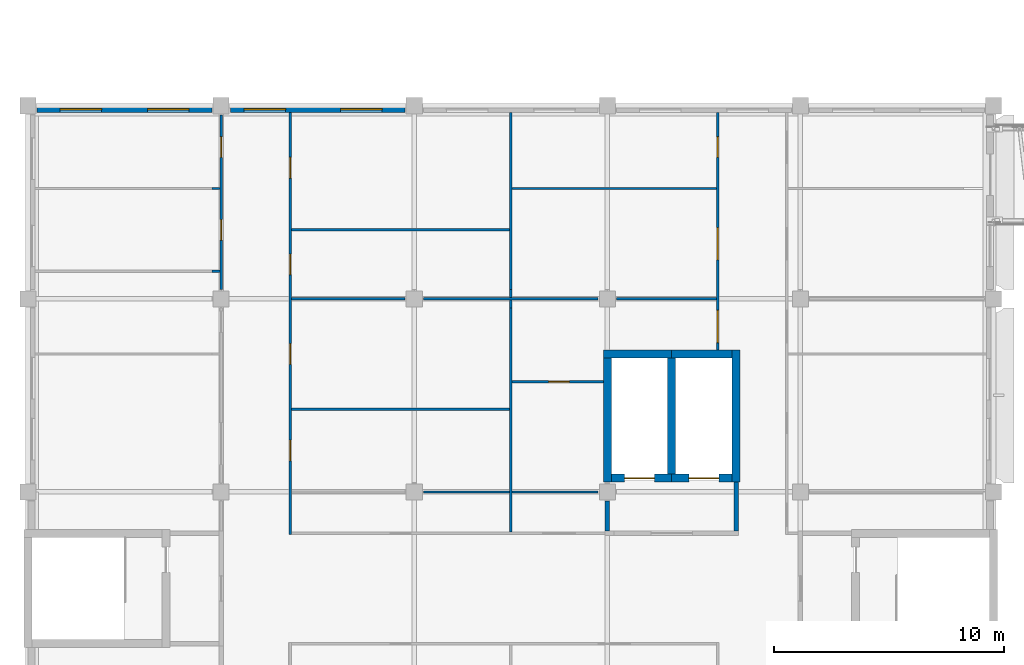
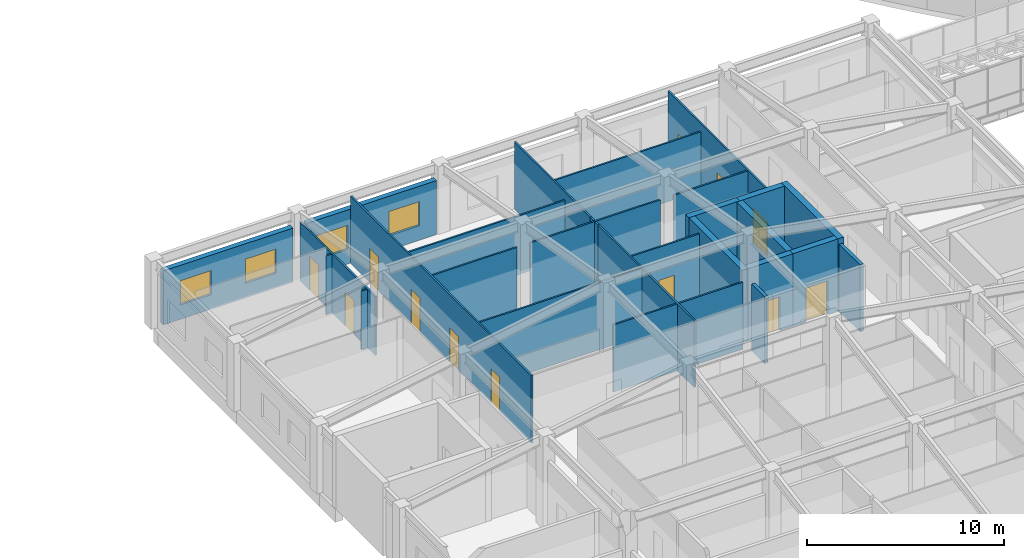
# One storey, part 58 of 136: 29 walls, 12 doors, 4 windows, 16 openings.
"""IFC4 building model written with IfcOpenShell, lengths in metres."""

from ifc_helpers import new_model, si_unit, direction, frame, frame_2d, origin, place, context, subcontext, project, spatial, rectangle, extrude, material, layer, layer_set, type_object, element, fill, save


model = new_model("IFC4")

# Units and contexts
model_context = context("Model", 3, precision=1e-05, world=origin(), true_north=direction((0.0, 1.0)))
body_context = subcontext(model_context, "Body", "Model", "MODEL_VIEW")
ifc_project = project(units=[si_unit("LENGTHUNIT", "METRE"), si_unit("AREAUNIT", "SQUARE_METRE"), si_unit("VOLUMEUNIT", "CUBIC_METRE"), si_unit("PLANEANGLEUNIT", "RADIAN"), si_unit("MASSUNIT", "GRAM", prefix="KILO")], contexts=[model_context])

# Site, building, storey
site_placement = place(None, origin())
site = spatial("IfcSite", under=ifc_project, at=site_placement, CompositionType="ELEMENT")
building_placement = place(site_placement, origin())
building = spatial("IfcBuilding", under=site, at=building_placement, Name="Bougainvillea Quay General Hospital", CompositionType="ELEMENT")
storey_placement = place(building_placement, frame((0.0, 0.0, 5.39990234375)))
storey = spatial("IfcBuildingStorey", under=building, at=storey_placement, Name="L01", CompositionType="ELEMENT", Elevation=5.39990234375)

# Wall, openings, windows
ifc_material_1 = material(Name="Pale stone rainscreen cladding on insulated masonry backing, pale stone", Category="masonry")
ifc_layer_1 = layer(ifc_material_1, 0.300048828125)
ifc_layer_set_1 = layer_set([ifc_layer_1], Name="Pale stone rainscreen cladding on insulated masonry backing, pale stone")
wall_type_1 = type_object("IfcWallType", Name="External wall pale stone rainscreen 300", PredefinedType="STANDARD", material=ifc_layer_set_1)
wall_1_placement = place(storey_placement, frame((24.800048828125, 75.449951171875, 0.0), z_axis=(0.0, 0.0, 1.0), x_axis=(-1.0, 0.0, 0.0)))
wall_1 = element("IfcWall", 1, at=wall_1_placement, inside=storey, type_object=wall_type_1, Name="External wall wall/V2/L01/p0/00d", PredefinedType="STANDARD", context=body_context, shape_type="SweptSolid", body=[
    extrude(rectangle(XDim=7.60009765625, YDim=0.300048828125, at=frame_2d((3.800048828125, 0.0))), origin(), (0.0, 0.0, 1.0), 3.35009765625),
])
opening_1_placement = place(wall_1_placement, frame((1.0, 0.0, 0.89990234375)))
opening_1 = element("IfcOpeningElement", 2, at=opening_1_placement, cuts=wall_1, Name="Opening W1", PredefinedType="OPENING", context=body_context, shape_type="SweptSolid", body=[
    extrude(rectangle(XDim=1.800048828125, YDim=1.5, at=frame_2d((0.89990234375, 0.75))), frame((0.0, 0.159912109375, 0.0), z_axis=(0.0, -1.0, 0.0), x_axis=(1.0, 0.0, 0.0)), (0.0, 0.0, 1.0), 0.320068359375),
])
opening_2_placement = place(wall_1_placement, frame((5.199951171875, 0.0, 0.89990234375)))
opening_2 = element("IfcOpeningElement", 3, at=opening_2_placement, cuts=wall_1, Name="Opening W1", PredefinedType="OPENING", context=body_context, shape_type="SweptSolid", body=[
    extrude(rectangle(XDim=1.800048828125, YDim=1.5, at=frame_2d((0.89990234375, 0.75))), frame((0.0, 0.159912109375, 0.0), z_axis=(0.0, -1.0, 0.0), x_axis=(1.0, 0.0, 0.0)), (0.0, 0.0, 1.0), 0.320068359375),
])
ifc_material_2 = material(Name="Aluminium window frame with low-e double glazed unit", Category="aluminium")
window_type = type_object("IfcWindowType", Name="Window W1 1800x1500", PartitioningType="DOUBLE_PANEL_VERTICAL", PredefinedType="WINDOW", material=ifc_material_2)
window_1_placement = place(opening_1_placement, origin())
window_1 = element("IfcWindow", 4, at=window_1_placement, inside=storey, type_object=window_type, Name="Window W1 1", OverallHeight=1.5, OverallWidth=1.800048828125, PartitioningType="SINGLE_PANEL", PredefinedType="WINDOW", context=body_context, shape_type="SweptSolid", body=[
    extrude(rectangle(XDim=1.800048828125, YDim=1.5, at=frame_2d((0.89990234375, 0.75))), frame((0.0, 0.030029296875, 0.0), z_axis=(0.0, -1.0, 0.0), x_axis=(1.0, 0.0, 0.0)), (0.0, 0.0, 1.0), 0.06005859375),
])
fill(opening_1, window_1)
window_2_placement = place(opening_2_placement, origin())
window_2 = element("IfcWindow", 5, at=window_2_placement, inside=storey, type_object=window_type, Name="Window W1 2", OverallHeight=1.5, OverallWidth=1.800048828125, PartitioningType="SINGLE_PANEL", PredefinedType="WINDOW", context=body_context, shape_type="SweptSolid", body=[
    extrude(rectangle(XDim=1.800048828125, YDim=1.5, at=frame_2d((0.89990234375, 0.75))), frame((0.0, 0.030029296875, 0.0), z_axis=(0.0, -1.0, 0.0), x_axis=(1.0, 0.0, 0.0)), (0.0, 0.0, 1.0), 0.06005859375),
])
fill(opening_2, window_2)

wall_2_placement = place(storey_placement, frame((16.39990234375, 75.449951171875, 0.0), z_axis=(0.0, 0.0, 1.0), x_axis=(-1.0, 0.0, 0.0)))
wall_2 = element("IfcWall", 6, at=wall_2_placement, inside=storey, type_object=wall_type_1, Name="External wall wall/V2/L01/p0/00e", PredefinedType="STANDARD", context=body_context, shape_type="SweptSolid", body=[
    extrude(rectangle(XDim=7.599853515625, YDim=0.300048828125, at=frame_2d((3.7998046875, 0.0))), origin(), (0.0, 0.0, 1.0), 3.35009765625),
])
opening_3_placement = place(wall_2_placement, frame((1.0, 0.0, 0.89990234375)))
opening_3 = element("IfcOpeningElement", 7, at=opening_3_placement, cuts=wall_2, Name="Opening W1", PredefinedType="OPENING", context=body_context, shape_type="SweptSolid", body=[
    extrude(rectangle(XDim=1.800048828125, YDim=1.5, at=frame_2d((0.89990234375, 0.75))), frame((0.0, 0.159912109375, 0.0), z_axis=(0.0, -1.0, 0.0), x_axis=(1.0, 0.0, 0.0)), (0.0, 0.0, 1.0), 0.320068359375),
])
opening_4_placement = place(wall_2_placement, frame((4.800048828125, 0.0, 0.89990234375)))
opening_4 = element("IfcOpeningElement", 8, at=opening_4_placement, cuts=wall_2, Name="Opening W1", PredefinedType="OPENING", context=body_context, shape_type="SweptSolid", body=[
    extrude(rectangle(XDim=1.800048828125, YDim=1.5, at=frame_2d((0.89990234375, 0.75))), frame((0.0, 0.159912109375, 0.0), z_axis=(0.0, -1.0, 0.0), x_axis=(1.0, 0.0, 0.0)), (0.0, 0.0, 1.0), 0.320068359375),
])
window_3_placement = place(opening_3_placement, origin())
window_3 = element("IfcWindow", 9, at=window_3_placement, inside=storey, type_object=window_type, Name="Window W1 1", OverallHeight=1.5, OverallWidth=1.800048828125, PartitioningType="SINGLE_PANEL", PredefinedType="WINDOW", context=body_context, shape_type="SweptSolid", body=[
    extrude(rectangle(XDim=1.800048828125, YDim=1.5, at=frame_2d((0.89990234375, 0.75))), frame((0.0, 0.030029296875, 0.0), z_axis=(0.0, -1.0, 0.0), x_axis=(1.0, 0.0, 0.0)), (0.0, 0.0, 1.0), 0.06005859375),
])
fill(opening_3, window_3)
window_4_placement = place(opening_4_placement, origin())
window_4 = element("IfcWindow", 10, at=window_4_placement, inside=storey, type_object=window_type, Name="Window W1 2", OverallHeight=1.5, OverallWidth=1.800048828125, PartitioningType="SINGLE_PANEL", PredefinedType="WINDOW", context=body_context, shape_type="SweptSolid", body=[
    extrude(rectangle(XDim=1.800048828125, YDim=1.5, at=frame_2d((0.89990234375, 0.75))), frame((0.0, 0.030029296875, 0.0), z_axis=(0.0, -1.0, 0.0), x_axis=(1.0, 0.0, 0.0)), (0.0, 0.0, 1.0), 0.06005859375),
])
fill(opening_4, window_4)

# Wall, openings, doors
ifc_material_3 = material(Name="Gypsum board partition on steel studs", Category="steel")
ifc_layer_2 = layer(ifc_material_3, 0.10009765625)
ifc_layer_set_2 = layer_set([ifc_layer_2], Name="Gypsum board partition on steel studs")
wall_type_2 = type_object("IfcWallType", Name="Partition 100 Gypsum board partition", PredefinedType="PARTITIONING", material=ifc_layer_set_2)
wall_3_placement = place(storey_placement, frame((19.800048828125, 75.300048828125, 0.0), z_axis=(0.0, 0.0, 1.0), x_axis=(0.0, -1.0, 0.0)))
wall_3 = element("IfcWall", 11, at=wall_3_placement, inside=storey, type_object=wall_type_2, Name="Partition 100 mm", PredefinedType="PARTITIONING", context=body_context, shape_type="SweptSolid", body=[
    extrude(rectangle(XDim=18.35009765625, YDim=0.10009765625, at=frame_2d((9.175048828125, 0.0))), origin(), (0.0, 0.0, 1.0), 4.150146484375),
])
opening_5_placement = place(wall_3_placement, frame((14.25, 0.0, 0.0)))
opening_5 = element("IfcOpeningElement", 12, at=opening_5_placement, cuts=wall_3, Name="Opening L01.084", PredefinedType="OPENING", context=body_context, shape_type="SweptSolid", body=[
    extrude(rectangle(XDim=0.89990234375, YDim=2.10009765625, at=frame_2d((0.449951171875, 1.050048828125))), frame((0.0, 0.06005859375, 0.0), z_axis=(0.0, -1.0, 0.0), x_axis=(1.0, 0.0, 0.0)), (0.0, 0.0, 1.0), 0.1201171875),
])
opening_6_placement = place(wall_3_placement, frame((10.050048828125, 0.0, 0.0)))
opening_6 = element("IfcOpeningElement", 13, at=opening_6_placement, cuts=wall_3, Name="Opening L01.085", PredefinedType="OPENING", context=body_context, shape_type="SweptSolid", body=[
    extrude(rectangle(XDim=0.89990234375, YDim=2.10009765625, at=frame_2d((0.449951171875, 1.050048828125))), frame((0.0, 0.06005859375, 0.0), z_axis=(0.0, -1.0, 0.0), x_axis=(1.0, 0.0, 0.0)), (0.0, 0.0, 1.0), 0.1201171875),
])
opening_7_placement = place(wall_3_placement, frame((6.14990234375, 0.0, 0.0)))
opening_7 = element("IfcOpeningElement", 14, at=opening_7_placement, cuts=wall_3, Name="Opening L01.086", PredefinedType="OPENING", context=body_context, shape_type="SweptSolid", body=[
    extrude(rectangle(XDim=0.89990234375, YDim=2.10009765625, at=frame_2d((0.449951171875, 1.050048828125))), frame((0.0, 0.06005859375, 0.0), z_axis=(0.0, -1.0, 0.0), x_axis=(1.0, 0.0, 0.0)), (0.0, 0.0, 1.0), 0.1201171875),
])
opening_8_placement = place(wall_3_placement, frame((1.949951171875, 0.0, 0.0)))
opening_8 = element("IfcOpeningElement", 15, at=opening_8_placement, cuts=wall_3, Name="Opening L01.087", PredefinedType="OPENING", context=body_context, shape_type="SweptSolid", body=[
    extrude(rectangle(XDim=0.89990234375, YDim=2.10009765625, at=frame_2d((0.449951171875, 1.050048828125))), frame((0.0, 0.06005859375, 0.0), z_axis=(0.0, -1.0, 0.0), x_axis=(1.0, 0.0, 0.0)), (0.0, 0.0, 1.0), 0.1201171875),
])
ifc_material_4 = material(Name="Solid-core timber door leaf in steel frame", Category="steel")
door_type_1 = type_object("IfcDoorType", Name="Single leaf door 900x2100", OperationType="NOTDEFINED", PredefinedType="DOOR", material=ifc_material_4)
door_1_placement = place(opening_5_placement, origin())
door_1 = element("IfcDoor", 16, at=door_1_placement, inside=storey, type_object=door_type_1, Name="DT07 L01.084", OperationType="SINGLE_SWING_RIGHT", OverallHeight=2.10009765625, OverallWidth=0.89990234375, PredefinedType="DOOR", context=body_context, shape_type="SweptSolid", body=[
    extrude(rectangle(XDim=0.89990234375, YDim=2.10009765625, at=frame_2d((0.449951171875, 1.050048828125))), frame((0.0, 0.02490234375, 0.0), z_axis=(0.0, -1.0, 0.0), x_axis=(1.0, 0.0, 0.0)), (0.0, 0.0, 1.0), 0.050048828125),
])
fill(opening_5, door_1)
door_2_placement = place(opening_6_placement, origin())
door_2 = element("IfcDoor", 17, at=door_2_placement, inside=storey, type_object=door_type_1, Name="DT07 L01.085", OperationType="SINGLE_SWING_RIGHT", OverallHeight=2.10009765625, OverallWidth=0.89990234375, PredefinedType="DOOR", context=body_context, shape_type="SweptSolid", body=[
    extrude(rectangle(XDim=0.89990234375, YDim=2.10009765625, at=frame_2d((0.449951171875, 1.050048828125))), frame((0.0, 0.02490234375, 0.0), z_axis=(0.0, -1.0, 0.0), x_axis=(1.0, 0.0, 0.0)), (0.0, 0.0, 1.0), 0.050048828125),
])
fill(opening_6, door_2)
door_3_placement = place(opening_7_placement, origin())
door_3 = element("IfcDoor", 18, at=door_3_placement, inside=storey, type_object=door_type_1, Name="DT07 L01.086", OperationType="SINGLE_SWING_LEFT", OverallHeight=2.10009765625, OverallWidth=0.89990234375, PredefinedType="DOOR", context=body_context, shape_type="SweptSolid", body=[
    extrude(rectangle(XDim=0.89990234375, YDim=2.10009765625, at=frame_2d((0.449951171875, 1.050048828125))), frame((0.0, 0.02490234375, 0.0), z_axis=(0.0, -1.0, 0.0), x_axis=(1.0, 0.0, 0.0)), (0.0, 0.0, 1.0), 0.050048828125),
])
fill(opening_7, door_3)
door_4_placement = place(opening_8_placement, origin())
door_4 = element("IfcDoor", 19, at=door_4_placement, inside=storey, type_object=door_type_1, Name="DT07 L01.087", OperationType="SINGLE_SWING_LEFT", OverallHeight=2.10009765625, OverallWidth=0.89990234375, PredefinedType="DOOR", context=body_context, shape_type="SweptSolid", body=[
    extrude(rectangle(XDim=0.89990234375, YDim=2.10009765625, at=frame_2d((0.449951171875, 1.050048828125))), frame((0.0, 0.02490234375, 0.0), z_axis=(0.0, -1.0, 0.0), x_axis=(1.0, 0.0, 0.0)), (0.0, 0.0, 1.0), 0.050048828125),
])
fill(opening_8, door_4)

wall_4_placement = place(storey_placement, frame((38.39990234375, 75.300048828125, 0.0), z_axis=(0.0, 0.0, 1.0), x_axis=(0.0, -1.0, 0.0)))
wall_4 = element("IfcWall", 20, at=wall_4_placement, inside=storey, type_object=wall_type_2, Name="Partition 100 mm", PredefinedType="PARTITIONING", context=body_context, shape_type="SweptSolid", body=[
    extrude(rectangle(XDim=10.324951171875, YDim=0.10009765625, at=frame_2d((5.16259765625, 0.0))), origin(), (0.0, 0.0, 1.0), 4.150146484375),
])
opening_9_placement = place(wall_4_placement, frame((8.60009765625, 0.0, 0.0)))
opening_9 = element("IfcOpeningElement", 21, at=opening_9_placement, cuts=wall_4, Name="Opening L01.089", PredefinedType="OPENING", context=body_context, shape_type="SweptSolid", body=[
    extrude(rectangle(XDim=1.39990234375, YDim=2.10009765625, at=frame_2d((0.699951171875, 1.050048828125))), frame((0.0, 0.06005859375, 0.0), z_axis=(0.0, -1.0, 0.0), x_axis=(1.0, 0.0, 0.0)), (0.0, 0.0, 1.0), 0.1201171875),
])
opening_10_placement = place(wall_4_placement, frame((5.0, 0.0, 0.0)))
opening_10 = element("IfcOpeningElement", 22, at=opening_10_placement, cuts=wall_4, Name="Opening L01.090", PredefinedType="OPENING", context=body_context, shape_type="SweptSolid", body=[
    extrude(rectangle(XDim=1.39990234375, YDim=2.10009765625, at=frame_2d((0.699951171875, 1.050048828125))), frame((0.0, 0.06005859375, 0.0), z_axis=(0.0, -1.0, 0.0), x_axis=(1.0, 0.0, 0.0)), (0.0, 0.0, 1.0), 0.1201171875),
])
opening_11_placement = place(wall_4_placement, frame((1.050048828125, 0.0, 0.0)))
opening_11 = element("IfcOpeningElement", 23, at=opening_11_placement, cuts=wall_4, Name="Opening L01.091", PredefinedType="OPENING", context=body_context, shape_type="SweptSolid", body=[
    extrude(rectangle(XDim=0.89990234375, YDim=2.10009765625, at=frame_2d((0.449951171875, 1.050048828125))), frame((0.0, 0.06005859375, 0.0), z_axis=(0.0, -1.0, 0.0), x_axis=(1.0, 0.0, 0.0)), (0.0, 0.0, 1.0), 0.1201171875),
])
ifc_material_5 = material(Name="Solid-core timber door leaves in steel frame", Category="steel")
door_type_2 = type_object("IfcDoorType", Name="Bed door pair 1400x2100", OperationType="DOUBLE_DOOR_SINGLE_SWING", PredefinedType="DOOR", material=ifc_material_5)
door_5_placement = place(opening_9_placement, frame((1.39990234375, 0.0, 0.0), z_axis=(0.0, 0.0, 1.0), x_axis=(-1.0, 0.0, 0.0)))
door_5 = element("IfcDoor", 24, at=door_5_placement, inside=storey, type_object=door_type_2, Name="DT09 L01.089", OperationType="DOUBLE_DOOR_SINGLE_SWING", OverallHeight=2.10009765625, OverallWidth=1.39990234375, PredefinedType="DOOR", context=body_context, shape_type="SweptSolid", body=[
    extrude(rectangle(XDim=1.39990234375, YDim=2.10009765625, at=frame_2d((0.699951171875, 1.050048828125))), frame((0.0, 0.02490234375, 0.0), z_axis=(0.0, -1.0, 0.0), x_axis=(1.0, 0.0, 0.0)), (0.0, 0.0, 1.0), 0.050048828125),
])
fill(opening_9, door_5)
door_6_placement = place(opening_10_placement, frame((1.39990234375, 0.0, 0.0), z_axis=(0.0, 0.0, 1.0), x_axis=(-1.0, 0.0, 0.0)))
door_6 = element("IfcDoor", 25, at=door_6_placement, inside=storey, type_object=door_type_2, Name="DT09 L01.090", OperationType="DOUBLE_DOOR_SINGLE_SWING", OverallHeight=2.10009765625, OverallWidth=1.39990234375, PredefinedType="DOOR", context=body_context, shape_type="SweptSolid", body=[
    extrude(rectangle(XDim=1.39990234375, YDim=2.10009765625, at=frame_2d((0.699951171875, 1.050048828125))), frame((0.0, 0.02490234375, 0.0), z_axis=(0.0, -1.0, 0.0), x_axis=(1.0, 0.0, 0.0)), (0.0, 0.0, 1.0), 0.050048828125),
])
fill(opening_10, door_6)
door_7_placement = place(opening_11_placement, frame((0.89990234375, 0.0, 0.0), z_axis=(0.0, 0.0, 1.0), x_axis=(-1.0, 0.0, 0.0)))
door_7 = element("IfcDoor", 26, at=door_7_placement, inside=storey, type_object=door_type_1, Name="DT07 L01.091", OperationType="SINGLE_SWING_RIGHT", OverallHeight=2.10009765625, OverallWidth=0.89990234375, PredefinedType="DOOR", context=body_context, shape_type="SweptSolid", body=[
    extrude(rectangle(XDim=0.89990234375, YDim=2.10009765625, at=frame_2d((0.449951171875, 1.050048828125))), frame((0.0, 0.02490234375, 0.0), z_axis=(0.0, -1.0, 0.0), x_axis=(1.0, 0.0, 0.0)), (0.0, 0.0, 1.0), 0.050048828125),
])
fill(opening_11, door_7)

# Walls
wall_5_placement = place(storey_placement, frame((19.85009765625, 67.199951171875, 0.0), z_axis=(0.0, 0.0, 1.0), x_axis=(1.0, 0.0, 0.0)))
element("IfcWall", 27, at=wall_5_placement, inside=storey, type_object=wall_type_2, Name="Partition 100 mm", PredefinedType="PARTITIONING", context=body_context, shape_type="SweptSolid", body=[
    extrude(rectangle(XDim=4.949951171875, YDim=0.10009765625, at=frame_2d((2.47509765625, 0.0))), origin(), (0.0, 0.0, 1.0), 4.150146484375),
])
wall_6_placement = place(storey_placement, frame((25.60009765625, 67.199951171875, 0.0), z_axis=(0.0, 0.0, 1.0), x_axis=(1.0, 0.0, 0.0)))
element("IfcWall", 28, at=wall_6_placement, inside=storey, type_object=wall_type_2, Name="Partition 100 mm", PredefinedType="PARTITIONING", context=body_context, shape_type="SweptSolid", body=[
    extrude(rectangle(XDim=7.599853515625, YDim=0.10009765625, at=frame_2d((3.7998046875, 0.0))), origin(), (0.0, 0.0, 1.0), 4.150146484375),
])
wall_7_placement = place(storey_placement, frame((34.0, 67.199951171875, 0.0), z_axis=(0.0, 0.0, 1.0), x_axis=(1.0, 0.0, 0.0)))
element("IfcWall", 29, at=wall_7_placement, inside=storey, type_object=wall_type_2, Name="Partition 100 mm", PredefinedType="PARTITIONING", context=body_context, shape_type="SweptSolid", body=[
    extrude(rectangle(XDim=4.35009765625, YDim=0.10009765625, at=frame_2d((2.175048828125, 0.0))), origin(), (0.0, 0.0, 1.0), 4.150146484375),
])

# Wall, openings, doors
wall_8_placement = place(storey_placement, frame((16.800048828125, 75.199951171875, 0.0), z_axis=(0.0, 0.0, 1.0), x_axis=(0.0, -1.0, 0.0)))
wall_8 = element("IfcWall", 30, at=wall_8_placement, inside=storey, type_object=wall_type_2, Name="Partition 100 mm", PredefinedType="PARTITIONING", context=body_context, shape_type="SweptSolid", body=[
    extrude(rectangle(XDim=7.599853515625, YDim=0.10009765625, at=frame_2d((3.7998046875, 0.0))), origin(), (0.0, 0.0, 1.0), 3.647216796875),
])
opening_12_placement = place(wall_8_placement, frame((4.550048828125, 0.0, 0.0)))
opening_12 = element("IfcOpeningElement", 31, at=opening_12_placement, cuts=wall_8, Name="Opening L01.081", PredefinedType="OPENING", context=body_context, shape_type="SweptSolid", body=[
    extrude(rectangle(XDim=0.89990234375, YDim=2.10009765625, at=frame_2d((0.449951171875, 1.050048828125))), frame((0.0, 0.06005859375, 0.0), z_axis=(0.0, -1.0, 0.0), x_axis=(1.0, 0.0, 0.0)), (0.0, 0.0, 1.0), 0.1201171875),
])
opening_13_placement = place(wall_8_placement, frame((0.949951171875, 0.0, 0.0)))
opening_13 = element("IfcOpeningElement", 32, at=opening_13_placement, cuts=wall_8, Name="Opening L01.082", PredefinedType="OPENING", context=body_context, shape_type="SweptSolid", body=[
    extrude(rectangle(XDim=0.89990234375, YDim=2.10009765625, at=frame_2d((0.449951171875, 1.050048828125))), frame((0.0, 0.06005859375, 0.0), z_axis=(0.0, -1.0, 0.0), x_axis=(1.0, 0.0, 0.0)), (0.0, 0.0, 1.0), 0.1201171875),
])
door_8_placement = place(opening_12_placement, frame((0.89990234375, 0.0, 0.0), z_axis=(0.0, 0.0, 1.0), x_axis=(-1.0, 0.0, 0.0)))
door_8 = element("IfcDoor", 33, at=door_8_placement, inside=storey, type_object=door_type_1, Name="DT07 L01.081", OperationType="SINGLE_SWING_LEFT", OverallHeight=2.10009765625, OverallWidth=0.89990234375, PredefinedType="DOOR", context=body_context, shape_type="SweptSolid", body=[
    extrude(rectangle(XDim=0.89990234375, YDim=2.10009765625, at=frame_2d((0.449951171875, 1.050048828125))), frame((0.0, 0.02490234375, 0.0), z_axis=(0.0, -1.0, 0.0), x_axis=(1.0, 0.0, 0.0)), (0.0, 0.0, 1.0), 0.050048828125),
])
fill(opening_12, door_8)
door_9_placement = place(opening_13_placement, frame((0.89990234375, 0.0, 0.0), z_axis=(0.0, 0.0, 1.0), x_axis=(-1.0, 0.0, 0.0)))
door_9 = element("IfcDoor", 34, at=door_9_placement, inside=storey, type_object=door_type_1, Name="DT07 L01.082", OperationType="SINGLE_SWING_RIGHT", OverallHeight=2.10009765625, OverallWidth=0.89990234375, PredefinedType="DOOR", context=body_context, shape_type="SweptSolid", body=[
    extrude(rectangle(XDim=0.89990234375, YDim=2.10009765625, at=frame_2d((0.449951171875, 1.050048828125))), frame((0.0, 0.02490234375, 0.0), z_axis=(0.0, -1.0, 0.0), x_axis=(1.0, 0.0, 0.0)), (0.0, 0.0, 1.0), 0.050048828125),
])
fill(opening_13, door_9)

# Walls
wall_9_placement = place(storey_placement, frame((29.39990234375, 75.300048828125, 0.0), z_axis=(0.0, 0.0, 1.0), x_axis=(0.0, -1.0, 0.0)))
element("IfcWall", 35, at=wall_9_placement, inside=storey, type_object=wall_type_2, Name="Partition 100 mm", PredefinedType="PARTITIONING", context=body_context, shape_type="SweptSolid", body=[
    extrude(rectangle(XDim=7.699951171875, YDim=0.10009765625, at=frame_2d((3.85009765625, 0.0))), origin(), (0.0, 0.0, 1.0), 4.150146484375),
])
wall_10_placement = place(storey_placement, frame((29.39990234375, 67.60009765625, 0.0), z_axis=(0.0, 0.0, 1.0), x_axis=(0.0, -1.0, 0.0)))
element("IfcWall", 36, at=wall_10_placement, inside=storey, type_object=wall_type_2, Name="Partition 100 mm", PredefinedType="PARTITIONING", context=body_context, shape_type="SweptSolid", body=[
    extrude(rectangle(XDim=0.35009765625, YDim=0.10009765625, at=frame_2d((0.175048828125, 0.0))), origin(), (0.0, 0.0, 1.0), 4.150146484375),
])
wall_11_placement = place(storey_placement, frame((29.39990234375, 67.14990234375, 0.0), z_axis=(0.0, 0.0, 1.0), x_axis=(0.0, -1.0, 0.0)))
element("IfcWall", 37, at=wall_11_placement, inside=storey, type_object=wall_type_2, Name="Partition 100 mm", PredefinedType="PARTITIONING", context=body_context, shape_type="SweptSolid", body=[
    extrude(rectangle(XDim=0.349853515625, YDim=0.10009765625, at=frame_2d((0.1748046875, 0.0))), origin(), (0.0, 0.0, 1.0), 4.150146484375),
])
wall_12_placement = place(storey_placement, frame((29.39990234375, 66.800048828125, 0.0), z_axis=(0.0, 0.0, 1.0), x_axis=(0.0, -1.0, 0.0)))
element("IfcWall", 38, at=wall_12_placement, inside=storey, type_object=wall_type_2, Name="Partition 100 mm", PredefinedType="PARTITIONING", context=body_context, shape_type="SweptSolid", body=[
    extrude(rectangle(XDim=9.75, YDim=0.10009765625, at=frame_2d((4.875, 0.0))), origin(), (0.0, 0.0, 1.0), 4.150146484375),
])
for number, where, z_axis, x_axis, name in (
    (39, (25.60009765625, 58.800048828125, 0.0), (0.0, 0.0, 1.0), (1.0, 0.0, 0.0), "Partition 100 mm"),
    (40, (29.449951171875, 58.800048828125, 0.0), (0.0, 0.0, 1.0), (1.0, 0.0, 0.0), "Partition 100 mm"),
):
    element("IfcWall", number, at=place(storey_placement, frame(where, z_axis=z_axis, x_axis=x_axis)), inside=storey, type_object=wall_type_2, Name=name, PredefinedType="PARTITIONING", context=body_context, shape_type="SweptSolid", body=[
        extrude(rectangle(XDim=3.75, YDim=0.10009765625, at=frame_2d((1.875, 0.0))), origin(), (0.0, 0.0, 1.0), 4.150146484375),
    ])
wall_13_placement = place(storey_placement, frame((19.85009765625, 62.39990234375, 0.0), z_axis=(0.0, 0.0, 1.0), x_axis=(1.0, 0.0, 0.0)))
element("IfcWall", 41, at=wall_13_placement, inside=storey, type_object=wall_type_2, Name="Partition 100 mm", PredefinedType="PARTITIONING", context=body_context, shape_type="SweptSolid", body=[
    extrude(rectangle(XDim=9.5, YDim=0.10009765625, at=frame_2d((4.75, 0.0))), origin(), (0.0, 0.0, 1.0), 4.150146484375),
])
wall_14_placement = place(storey_placement, frame((19.85009765625, 70.199951171875, 0.0), z_axis=(0.0, 0.0, 1.0), x_axis=(1.0, 0.0, 0.0)))
element("IfcWall", 42, at=wall_14_placement, inside=storey, type_object=wall_type_2, Name="Partition 100 mm", PredefinedType="PARTITIONING", context=body_context, shape_type="SweptSolid", body=[
    extrude(rectangle(XDim=9.5, YDim=0.10009765625, at=frame_2d((4.75, 0.0))), origin(), (0.0, 0.0, 1.0), 3.647216796875),
])
wall_15_placement = place(storey_placement, frame((29.449951171875, 72.0, 0.0), z_axis=(0.0, 0.0, 1.0), x_axis=(1.0, 0.0, 0.0)))
element("IfcWall", 43, at=wall_15_placement, inside=storey, type_object=wall_type_2, Name="Partition 100 mm", PredefinedType="PARTITIONING", context=body_context, shape_type="SweptSolid", body=[
    extrude(rectangle(XDim=8.900146484375, YDim=0.10009765625, at=frame_2d((4.4501953125, 0.0))), origin(), (0.0, 0.0, 1.0), 3.647216796875),
])
for number, where, z_axis, x_axis, name in (
    (44, (16.39990234375, 68.39990234375, 0.0), (0.0, 0.0, 1.0), (1.0, 0.0, 0.0), "Partition 100 mm"),
    (45, (16.39990234375, 72.0, 0.0), (0.0, 0.0, 1.0), (1.0, 0.0, 0.0), "Partition 100 mm"),
):
    element("IfcWall", number, at=place(storey_placement, frame(where, z_axis=z_axis, x_axis=x_axis)), inside=storey, type_object=wall_type_2, Name=name, PredefinedType="PARTITIONING", context=body_context, shape_type="SweptSolid", body=[
        extrude(rectangle(XDim=0.35009765625, YDim=0.10009765625, at=frame_2d((0.175048828125, 0.0))), origin(), (0.0, 0.0, 1.0), 3.647216796875),
    ])

# Wall, opening, door
wall_16_placement = place(storey_placement, frame((29.449951171875, 63.60009765625, 0.0), z_axis=(0.0, 0.0, 1.0), x_axis=(1.0, 0.0, 0.0)))
wall_16 = element("IfcWall", 46, at=wall_16_placement, inside=storey, type_object=wall_type_2, Name="Partition 100 mm", PredefinedType="PARTITIONING", context=body_context, shape_type="SweptSolid", body=[
    extrude(rectangle(XDim=3.97509765625, YDim=0.10009765625, at=frame_2d((1.987548828125, 0.0))), origin(), (0.0, 0.0, 1.0), 4.150146484375),
])
opening_14_placement = place(wall_16_placement, frame((1.60009765625, 0.0, 0.0)))
opening_14 = element("IfcOpeningElement", 47, at=opening_14_placement, cuts=wall_16, Name="Opening L01.220", PredefinedType="OPENING", context=body_context, shape_type="SweptSolid", body=[
    extrude(rectangle(XDim=0.89990234375, YDim=2.10009765625, at=frame_2d((0.449951171875, 1.050048828125))), frame((0.0, 0.06005859375, 0.0), z_axis=(0.0, -1.0, 0.0), x_axis=(1.0, 0.0, 0.0)), (0.0, 0.0, 1.0), 0.1201171875),
])
door_10_placement = place(opening_14_placement, frame((0.89990234375, 0.0, 0.0), z_axis=(0.0, 0.0, 1.0), x_axis=(-1.0, 0.0, 0.0)))
door_10 = element("IfcDoor", 48, at=door_10_placement, inside=storey, type_object=door_type_1, Name="DT07 L01.220", OperationType="SINGLE_SWING_LEFT", OverallHeight=2.10009765625, OverallWidth=0.89990234375, PredefinedType="DOOR", context=body_context, shape_type="SweptSolid", body=[
    extrude(rectangle(XDim=0.89990234375, YDim=2.10009765625, at=frame_2d((0.449951171875, 1.050048828125))), frame((0.0, 0.02490234375, 0.0), z_axis=(0.0, -1.0, 0.0), x_axis=(1.0, 0.0, 0.0)), (0.0, 0.0, 1.0), 0.050048828125),
])
fill(opening_14, door_10)

# Walls
ifc_material_6 = material(Name="Fire-rated autoclaved aerated block wall, plastered")
ifc_layer_3 = layer(ifc_material_6, 0.199951171875)
ifc_layer_set_3 = layer_set([ifc_layer_3], Name="Fire-rated autoclaved aerated block wall, plastered")
wall_type_3 = type_object("IfcWallType", Name="Partition 200 Fire-rated autoclaved aerated block wall EI 120", PredefinedType="SOLIDWALL", material=ifc_layer_set_3)
wall_17_placement = place(storey_placement, frame((33.60009765625, 57.10009765625, 0.0), z_axis=(0.0, 0.0, 1.0), x_axis=(0.0, 1.0, 0.0)))
element("IfcWall", 49, at=wall_17_placement, inside=storey, type_object=wall_type_3, Name="Partition 200 mm EI 120", PredefinedType="SOLIDWALL", context=body_context, shape_type="SweptSolid", body=[
    extrude(rectangle(XDim=1.2998046875, YDim=0.199951171875, at=frame_2d((0.64990234375, 0.0))), origin(), (0.0, 0.0, 1.0), 4.150146484375),
])
wall_18_placement = place(storey_placement, frame((39.199951171875, 57.10009765625, 0.0), z_axis=(0.0, 0.0, 1.0), x_axis=(0.0, 1.0, 0.0)))
element("IfcWall", 50, at=wall_18_placement, inside=storey, type_object=wall_type_3, Name="Partition 200 mm EI 120", PredefinedType="SOLIDWALL", context=body_context, shape_type="SweptSolid", body=[
    extrude(rectangle(XDim=2.125, YDim=0.199951171875, at=frame_2d((1.0625, 0.0))), origin(), (0.0, 0.0, 1.0), 4.150146484375),
])
ifc_material_7 = material(Name="Concrete C40", Category="concrete")
ifc_layer_4 = layer(ifc_material_7, 0.35009765625)
ifc_layer_set_4 = layer_set([ifc_layer_4], Name="Concrete C40")
wall_type_4 = type_object("IfcWallType", Name="RC SHEAR WALL 350 C40", PredefinedType="SHEAR", material=ifc_layer_set_4)
wall_19_placement = place(storey_placement, frame((33.425048828125, 64.800048828125, 0.0), z_axis=(0.0, 0.0, 1.0), x_axis=(1.0, 0.0, 0.0)))
element("IfcWall", 51, at=wall_19_placement, inside=storey, type_object=wall_type_4, Name="Shear wall L01", PredefinedType="SHEAR", context=body_context, shape_type="SweptSolid", body=[
    extrude(rectangle(XDim=2.974853515625, YDim=0.35009765625, at=frame_2d((1.4873046875, 0.0))), origin(), (0.0, 0.0, 1.0), 4.5),
])
wall_20_placement = place(storey_placement, frame((33.60009765625, 59.22509765625, 0.0), z_axis=(0.0, 0.0, 1.0), x_axis=(0.0, 1.0, 0.0)))
element("IfcWall", 52, at=wall_20_placement, inside=storey, type_object=wall_type_4, Name="Shear wall L01", PredefinedType="SHEAR", context=body_context, shape_type="SweptSolid", body=[
    extrude(rectangle(XDim=5.39990234375, YDim=0.35009765625, at=frame_2d((2.699951171875, 0.0))), origin(), (0.0, 0.0, 1.0), 4.5),
])

# Wall, opening, door
wall_21_placement = place(storey_placement, frame((33.77490234375, 59.39990234375, 0.0), z_axis=(0.0, 0.0, 1.0), x_axis=(1.0, 0.0, 0.0)))
wall_21 = element("IfcWall", 53, at=wall_21_placement, inside=storey, type_object=wall_type_4, Name="Shear wall L01", PredefinedType="SHEAR", context=body_context, shape_type="SweptSolid", body=[
    extrude(rectangle(XDim=2.625, YDim=0.35009765625, at=frame_2d((1.3125, 0.0))), origin(), (0.0, 0.0, 1.0), 4.5),
])
opening_15_placement = place(wall_21_placement, frame((0.574951171875, 0.0, 0.0)))
opening_15 = element("IfcOpeningElement", 54, at=opening_15_placement, cuts=wall_21, Name="Opening LD-U1.1-L01", PredefinedType="OPENING", context=body_context, shape_type="SweptSolid", body=[
    extrude(rectangle(XDim=1.300048828125, YDim=2.10009765625, at=frame_2d((0.64990234375, 1.050048828125))), frame((0.0, 0.18505859375, 0.0), z_axis=(0.0, -1.0, 0.0), x_axis=(1.0, 0.0, 0.0)), (0.0, 0.0, 1.0), 0.3701171875),
])
ifc_material_8 = material(Name="Stainless steel centre-opening landing door", Category="steel")
door_type_3 = type_object("IfcDoorType", Name="Lift landing door 1300x2100 E 120", OperationType="DOUBLE_DOOR_SLIDING", PredefinedType="DOOR", material=ifc_material_8)
door_11_placement = place(opening_15_placement, origin())
door_11 = element("IfcDoor", 55, at=door_11_placement, inside=storey, type_object=door_type_3, Name="Lift landing door LB-U1-1 L01", OperationType="DOUBLE_DOOR_SLIDING", OverallHeight=2.10009765625, OverallWidth=1.300048828125, PredefinedType="DOOR", context=body_context, shape_type="SweptSolid", body=[
    extrude(rectangle(XDim=1.300048828125, YDim=2.10009765625, at=frame_2d((0.64990234375, 1.050048828125))), frame((0.0, 0.02490234375, 0.0), z_axis=(0.0, -1.0, 0.0), x_axis=(1.0, 0.0, 0.0)), (0.0, 0.0, 1.0), 0.050048828125),
])
fill(opening_15, door_11)

wall_22_placement = place(storey_placement, frame((36.39990234375, 59.39990234375, 0.0), z_axis=(0.0, 0.0, 1.0), x_axis=(1.0, 0.0, 0.0)))
wall_22 = element("IfcWall", 56, at=wall_22_placement, inside=storey, type_object=wall_type_4, Name="Shear wall L01", PredefinedType="SHEAR", context=body_context, shape_type="SweptSolid", body=[
    extrude(rectangle(XDim=2.625, YDim=0.35009765625, at=frame_2d((1.3125, 0.0))), origin(), (0.0, 0.0, 1.0), 4.5),
])
opening_16_placement = place(wall_22_placement, frame((0.75, 0.0, 0.0)))
opening_16 = element("IfcOpeningElement", 57, at=opening_16_placement, cuts=wall_22, Name="Opening LD-U1.2-L01", PredefinedType="OPENING", context=body_context, shape_type="SweptSolid", body=[
    extrude(rectangle(XDim=1.300048828125, YDim=2.10009765625, at=frame_2d((0.64990234375, 1.050048828125))), frame((0.0, 0.18505859375, 0.0), z_axis=(0.0, -1.0, 0.0), x_axis=(1.0, 0.0, 0.0)), (0.0, 0.0, 1.0), 0.3701171875),
])
door_12_placement = place(opening_16_placement, origin())
door_12 = element("IfcDoor", 58, at=door_12_placement, inside=storey, type_object=door_type_3, Name="Lift landing door LB-U1-2 L01", OperationType="DOUBLE_DOOR_SLIDING", OverallHeight=2.10009765625, OverallWidth=1.300048828125, PredefinedType="DOOR", context=body_context, shape_type="SweptSolid", body=[
    extrude(rectangle(XDim=1.300048828125, YDim=2.10009765625, at=frame_2d((0.64990234375, 1.050048828125))), frame((0.0, 0.02490234375, 0.0), z_axis=(0.0, -1.0, 0.0), x_axis=(1.0, 0.0, 0.0)), (0.0, 0.0, 1.0), 0.050048828125),
])
fill(opening_16, door_12)

# Walls
wall_23_placement = place(storey_placement, frame((36.39990234375, 59.574951171875, 0.0), z_axis=(0.0, 0.0, 1.0), x_axis=(0.0, 1.0, 0.0)))
element("IfcWall", 59, at=wall_23_placement, inside=storey, type_object=wall_type_4, Name="Shear wall L01", PredefinedType="SHEAR", context=body_context, shape_type="SweptSolid", body=[
    extrude(rectangle(XDim=5.050048828125, YDim=0.35009765625, at=frame_2d((2.52490234375, 0.0))), origin(), (0.0, 0.0, 1.0), 4.5),
])
wall_24_placement = place(storey_placement, frame((36.39990234375, 64.800048828125, 0.0), z_axis=(0.0, 0.0, 1.0), x_axis=(1.0, 0.0, 0.0)))
element("IfcWall", 60, at=wall_24_placement, inside=storey, type_object=wall_type_4, Name="Shear wall L01", PredefinedType="SHEAR", context=body_context, shape_type="SweptSolid", body=[
    extrude(rectangle(XDim=2.625, YDim=0.35009765625, at=frame_2d((1.3125, 0.0))), origin(), (0.0, 0.0, 1.0), 4.5),
])
wall_25_placement = place(storey_placement, frame((39.199951171875, 59.22509765625, 0.0), z_axis=(0.0, 0.0, 1.0), x_axis=(0.0, 1.0, 0.0)))
element("IfcWall", 61, at=wall_25_placement, inside=storey, type_object=wall_type_4, Name="Shear wall L01", PredefinedType="SHEAR", context=body_context, shape_type="SweptSolid", body=[
    extrude(rectangle(XDim=5.75, YDim=0.35009765625, at=frame_2d((2.875, 0.0))), origin(), (0.0, 0.0, 1.0), 4.5),
])

save(model, "model.ifc")
